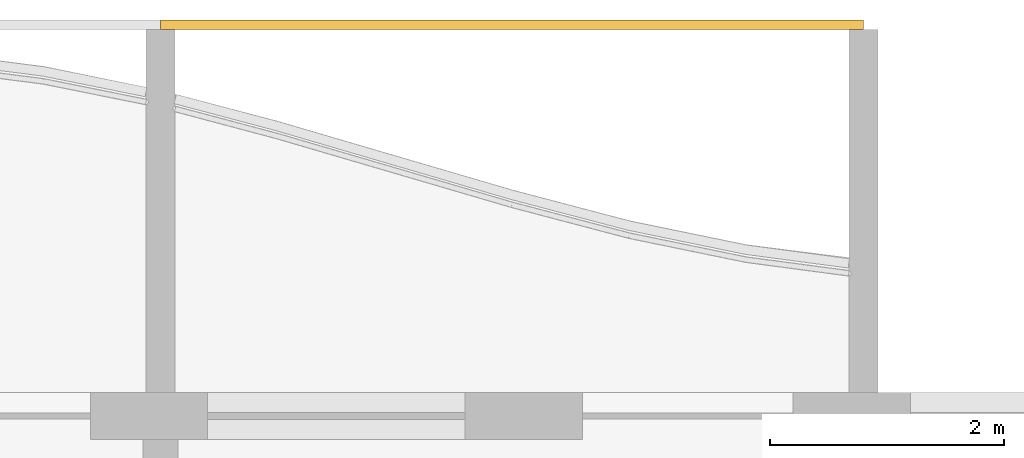
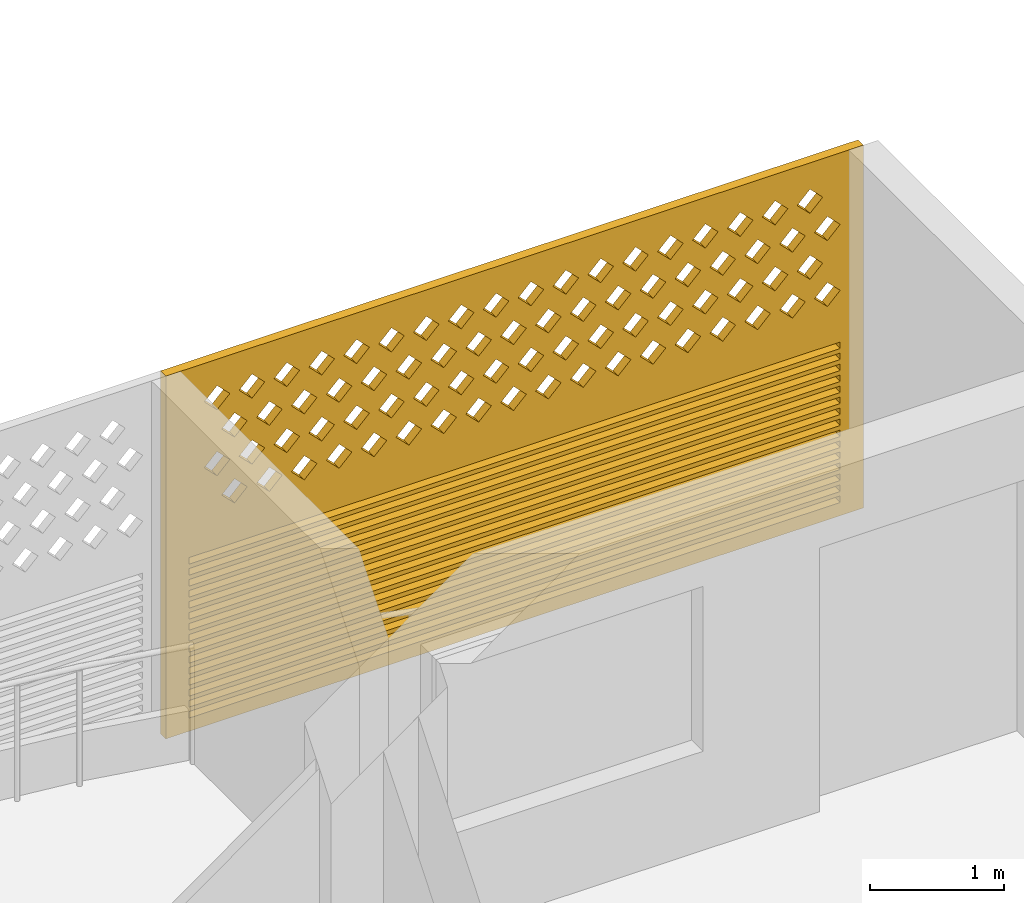
# One storey, part 19 of 31: 1 covering.
"""IFC4 building model written with IfcOpenShell, lengths in metres."""

from ifc_helpers import new_model, si_unit, direction, frame, origin, place, context, subcontext, project, spatial, polyline, outline, extrude, source, transform, mapped, material, material_profile, profile_set, type_object, element, save


model = new_model("IFC4")

# Units and contexts
model_context = context("Model", 3, precision=1e-05, world=origin(), true_north=direction((0.0, 1.0)))
body_context = subcontext(model_context, "Body", "Model", "MODEL_VIEW")
ifc_project = project(units=[si_unit("LENGTHUNIT", "METRE"), si_unit("AREAUNIT", "SQUARE_METRE"), si_unit("VOLUMEUNIT", "CUBIC_METRE"), si_unit("PLANEANGLEUNIT", "RADIAN"), si_unit("MASSUNIT", "GRAM", prefix="KILO")], contexts=[model_context])

# Site, building, storey
site_placement = place(None, origin())
site = spatial("IfcSite", under=ifc_project, at=site_placement, CompositionType="ELEMENT")
building_placement = place(site_placement, origin())
building = spatial("IfcBuilding", under=site, at=building_placement, Name="Poui Terraces", CompositionType="ELEMENT")
storey_placement = place(building_placement, frame((0.0, 0.0, 142.199951171875)))
storey = spatial("IfcBuildingStorey", under=building, at=storey_placement, Name="L39", CompositionType="ELEMENT", Elevation=142.199951171875)

# Covering
ifc_material = material(Name="Terracotta screen", Category="masonry")
ifc_material_profile = material_profile(ifc_material, outline(polyline([(-3.0, -1.64990234375), (3.0, -1.64990234375), (3.0, 1.64990234375), (-3.0, 1.64990234375), (-3.0, -1.64990234375)]), holes=[polyline([(-2.800048828125, 0.39990234375), (-2.68994140625, 0.2900390625), (-2.580078125, 0.39990234375), (-2.68994140625, 0.510009765625), (-2.800048828125, 0.39990234375)]), polyline([(-2.5, 0.39990234375), (-2.389892578125, 0.2900390625), (-2.280029296875, 0.39990234375), (-2.389892578125, 0.510009765625), (-2.5, 0.39990234375)]), polyline([(-2.199951171875, 0.39990234375), (-2.090087890625, 0.2900390625), (-1.97998046875, 0.39990234375), (-2.090087890625, 0.510009765625), (-2.199951171875, 0.39990234375)]), polyline([(-1.89990234375, 0.39990234375), (-1.7900390625, 0.2900390625), (-1.679931640625, 0.39990234375), (-1.7900390625, 0.510009765625), (-1.89990234375, 0.39990234375)]), polyline([(-1.60009765625, 0.39990234375), (-1.489990234375, 0.2900390625), (-1.3798828125, 0.39990234375), (-1.489990234375, 0.510009765625), (-1.60009765625, 0.39990234375)]), polyline([(-1.300048828125, 0.39990234375), (-1.18994140625, 0.2900390625), (-1.080078125, 0.39990234375), (-1.18994140625, 0.510009765625), (-1.300048828125, 0.39990234375)]), polyline([(-1.0, 0.39990234375), (-0.889892578125, 0.2900390625), (-0.780029296875, 0.39990234375), (-0.889892578125, 0.510009765625), (-1.0, 0.39990234375)]), polyline([(-0.699951171875, 0.39990234375), (-0.590087890625, 0.2900390625), (-0.47998046875, 0.39990234375), (-0.590087890625, 0.510009765625), (-0.699951171875, 0.39990234375)]), polyline([(-0.39990234375, 0.39990234375), (-0.2900390625, 0.2900390625), (-0.179931640625, 0.39990234375), (-0.2900390625, 0.510009765625), (-0.39990234375, 0.39990234375)]), polyline([(-0.10009765625, 0.39990234375), (0.010009765625, 0.2900390625), (0.1201171875, 0.39990234375), (0.010009765625, 0.510009765625), (-0.10009765625, 0.39990234375)]), polyline([(0.199951171875, 0.39990234375), (0.31005859375, 0.2900390625), (0.419921875, 0.39990234375), (0.31005859375, 0.510009765625), (0.199951171875, 0.39990234375)]), polyline([(0.5, 0.39990234375), (0.610107421875, 0.2900390625), (0.719970703125, 0.39990234375), (0.610107421875, 0.510009765625), (0.5, 0.39990234375)]), polyline([(0.800048828125, 0.39990234375), (0.909912109375, 0.2900390625), (1.02001953125, 0.39990234375), (0.909912109375, 0.510009765625), (0.800048828125, 0.39990234375)]), polyline([(1.10009765625, 0.39990234375), (1.2099609375, 0.2900390625), (1.320068359375, 0.39990234375), (1.2099609375, 0.510009765625), (1.10009765625, 0.39990234375)]), polyline([(1.39990234375, 0.39990234375), (1.510009765625, 0.2900390625), (1.6201171875, 0.39990234375), (1.510009765625, 0.510009765625), (1.39990234375, 0.39990234375)]), polyline([(1.699951171875, 0.39990234375), (1.81005859375, 0.2900390625), (1.919921875, 0.39990234375), (1.81005859375, 0.510009765625), (1.699951171875, 0.39990234375)]), polyline([(2.0, 0.39990234375), (2.110107421875, 0.2900390625), (2.219970703125, 0.39990234375), (2.110107421875, 0.510009765625), (2.0, 0.39990234375)]), polyline([(2.300048828125, 0.39990234375), (2.409912109375, 0.2900390625), (2.52001953125, 0.39990234375), (2.409912109375, 0.510009765625), (2.300048828125, 0.39990234375)]), polyline([(-2.64990234375, 0.699951171875), (-2.5400390625, 0.590087890625), (-2.429931640625, 0.699951171875), (-2.5400390625, 0.81005859375), (-2.64990234375, 0.699951171875)]), polyline([(-2.35009765625, 0.699951171875), (-2.239990234375, 0.590087890625), (-2.1298828125, 0.699951171875), (-2.239990234375, 0.81005859375), (-2.35009765625, 0.699951171875)]), polyline([(-2.050048828125, 0.699951171875), (-1.93994140625, 0.590087890625), (-1.830078125, 0.699951171875), (-1.93994140625, 0.81005859375), (-2.050048828125, 0.699951171875)]), polyline([(-1.75, 0.699951171875), (-1.639892578125, 0.590087890625), (-1.530029296875, 0.699951171875), (-1.639892578125, 0.81005859375), (-1.75, 0.699951171875)]), polyline([(-1.449951171875, 0.699951171875), (-1.340087890625, 0.590087890625), (-1.22998046875, 0.699951171875), (-1.340087890625, 0.81005859375), (-1.449951171875, 0.699951171875)]), polyline([(-1.14990234375, 0.699951171875), (-1.0400390625, 0.590087890625), (-0.929931640625, 0.699951171875), (-1.0400390625, 0.81005859375), (-1.14990234375, 0.699951171875)]), polyline([(-0.85009765625, 0.699951171875), (-0.739990234375, 0.590087890625), (-0.6298828125, 0.699951171875), (-0.739990234375, 0.81005859375), (-0.85009765625, 0.699951171875)]), polyline([(-0.550048828125, 0.699951171875), (-0.43994140625, 0.590087890625), (-0.330078125, 0.699951171875), (-0.43994140625, 0.81005859375), (-0.550048828125, 0.699951171875)]), polyline([(-0.25, 0.699951171875), (-0.139892578125, 0.590087890625), (-0.030029296875, 0.699951171875), (-0.139892578125, 0.81005859375), (-0.25, 0.699951171875)]), polyline([(0.050048828125, 0.699951171875), (0.159912109375, 0.590087890625), (0.27001953125, 0.699951171875), (0.159912109375, 0.81005859375), (0.050048828125, 0.699951171875)]), polyline([(0.35009765625, 0.699951171875), (0.4599609375, 0.590087890625), (0.570068359375, 0.699951171875), (0.4599609375, 0.81005859375), (0.35009765625, 0.699951171875)]), polyline([(0.64990234375, 0.699951171875), (0.760009765625, 0.590087890625), (0.8701171875, 0.699951171875), (0.760009765625, 0.81005859375), (0.64990234375, 0.699951171875)]), polyline([(0.949951171875, 0.699951171875), (1.06005859375, 0.590087890625), (1.169921875, 0.699951171875), (1.06005859375, 0.81005859375), (0.949951171875, 0.699951171875)]), polyline([(1.25, 0.699951171875), (1.360107421875, 0.590087890625), (1.469970703125, 0.699951171875), (1.360107421875, 0.81005859375), (1.25, 0.699951171875)]), polyline([(1.550048828125, 0.699951171875), (1.659912109375, 0.590087890625), (1.77001953125, 0.699951171875), (1.659912109375, 0.81005859375), (1.550048828125, 0.699951171875)]), polyline([(1.85009765625, 0.699951171875), (1.9599609375, 0.590087890625), (2.070068359375, 0.699951171875), (1.9599609375, 0.81005859375), (1.85009765625, 0.699951171875)]), polyline([(2.14990234375, 0.699951171875), (2.260009765625, 0.590087890625), (2.3701171875, 0.699951171875), (2.260009765625, 0.81005859375), (2.14990234375, 0.699951171875)]), polyline([(2.449951171875, 0.699951171875), (2.56005859375, 0.590087890625), (2.669921875, 0.699951171875), (2.56005859375, 0.81005859375), (2.449951171875, 0.699951171875)]), polyline([(-2.800048828125, 1.0), (-2.68994140625, 0.889892578125), (-2.580078125, 1.0), (-2.68994140625, 1.110107421875), (-2.800048828125, 1.0)]), polyline([(-2.5, 1.0), (-2.389892578125, 0.889892578125), (-2.280029296875, 1.0), (-2.389892578125, 1.110107421875), (-2.5, 1.0)]), polyline([(-2.199951171875, 1.0), (-2.090087890625, 0.889892578125), (-1.97998046875, 1.0), (-2.090087890625, 1.110107421875), (-2.199951171875, 1.0)]), polyline([(-1.89990234375, 1.0), (-1.7900390625, 0.889892578125), (-1.679931640625, 1.0), (-1.7900390625, 1.110107421875), (-1.89990234375, 1.0)]), polyline([(-1.60009765625, 1.0), (-1.489990234375, 0.889892578125), (-1.3798828125, 1.0), (-1.489990234375, 1.110107421875), (-1.60009765625, 1.0)]), polyline([(-1.300048828125, 1.0), (-1.18994140625, 0.889892578125), (-1.080078125, 1.0), (-1.18994140625, 1.110107421875), (-1.300048828125, 1.0)]), polyline([(-1.0, 1.0), (-0.889892578125, 0.889892578125), (-0.780029296875, 1.0), (-0.889892578125, 1.110107421875), (-1.0, 1.0)]), polyline([(-0.699951171875, 1.0), (-0.590087890625, 0.889892578125), (-0.47998046875, 1.0), (-0.590087890625, 1.110107421875), (-0.699951171875, 1.0)]), polyline([(-0.39990234375, 1.0), (-0.2900390625, 0.889892578125), (-0.179931640625, 1.0), (-0.2900390625, 1.110107421875), (-0.39990234375, 1.0)]), polyline([(-0.10009765625, 1.0), (0.010009765625, 0.889892578125), (0.1201171875, 1.0), (0.010009765625, 1.110107421875), (-0.10009765625, 1.0)]), polyline([(0.199951171875, 1.0), (0.31005859375, 0.889892578125), (0.419921875, 1.0), (0.31005859375, 1.110107421875), (0.199951171875, 1.0)]), polyline([(0.5, 1.0), (0.610107421875, 0.889892578125), (0.719970703125, 1.0), (0.610107421875, 1.110107421875), (0.5, 1.0)]), polyline([(0.800048828125, 1.0), (0.909912109375, 0.889892578125), (1.02001953125, 1.0), (0.909912109375, 1.110107421875), (0.800048828125, 1.0)]), polyline([(1.10009765625, 1.0), (1.2099609375, 0.889892578125), (1.320068359375, 1.0), (1.2099609375, 1.110107421875), (1.10009765625, 1.0)]), polyline([(1.39990234375, 1.0), (1.510009765625, 0.889892578125), (1.6201171875, 1.0), (1.510009765625, 1.110107421875), (1.39990234375, 1.0)]), polyline([(1.699951171875, 1.0), (1.81005859375, 0.889892578125), (1.919921875, 1.0), (1.81005859375, 1.110107421875), (1.699951171875, 1.0)]), polyline([(2.0, 1.0), (2.110107421875, 0.889892578125), (2.219970703125, 1.0), (2.110107421875, 1.110107421875), (2.0, 1.0)]), polyline([(2.300048828125, 1.0), (2.409912109375, 0.889892578125), (2.52001953125, 1.0), (2.409912109375, 1.110107421875), (2.300048828125, 1.0)]), polyline([(-2.64990234375, 1.300048828125), (-2.5400390625, 1.18994140625), (-2.429931640625, 1.300048828125), (-2.5400390625, 1.409912109375), (-2.64990234375, 1.300048828125)]), polyline([(-2.35009765625, 1.300048828125), (-2.239990234375, 1.18994140625), (-2.1298828125, 1.300048828125), (-2.239990234375, 1.409912109375), (-2.35009765625, 1.300048828125)]), polyline([(-2.050048828125, 1.300048828125), (-1.93994140625, 1.18994140625), (-1.830078125, 1.300048828125), (-1.93994140625, 1.409912109375), (-2.050048828125, 1.300048828125)]), polyline([(-1.75, 1.300048828125), (-1.639892578125, 1.18994140625), (-1.530029296875, 1.300048828125), (-1.639892578125, 1.409912109375), (-1.75, 1.300048828125)]), polyline([(-1.449951171875, 1.300048828125), (-1.340087890625, 1.18994140625), (-1.22998046875, 1.300048828125), (-1.340087890625, 1.409912109375), (-1.449951171875, 1.300048828125)]), polyline([(-1.14990234375, 1.300048828125), (-1.0400390625, 1.18994140625), (-0.929931640625, 1.300048828125), (-1.0400390625, 1.409912109375), (-1.14990234375, 1.300048828125)]), polyline([(-0.85009765625, 1.300048828125), (-0.739990234375, 1.18994140625), (-0.6298828125, 1.300048828125), (-0.739990234375, 1.409912109375), (-0.85009765625, 1.300048828125)]), polyline([(-0.550048828125, 1.300048828125), (-0.43994140625, 1.18994140625), (-0.330078125, 1.300048828125), (-0.43994140625, 1.409912109375), (-0.550048828125, 1.300048828125)]), polyline([(-0.25, 1.300048828125), (-0.139892578125, 1.18994140625), (-0.030029296875, 1.300048828125), (-0.139892578125, 1.409912109375), (-0.25, 1.300048828125)]), polyline([(0.050048828125, 1.300048828125), (0.159912109375, 1.18994140625), (0.27001953125, 1.300048828125), (0.159912109375, 1.409912109375), (0.050048828125, 1.300048828125)]), polyline([(0.35009765625, 1.300048828125), (0.4599609375, 1.18994140625), (0.570068359375, 1.300048828125), (0.4599609375, 1.409912109375), (0.35009765625, 1.300048828125)]), polyline([(0.64990234375, 1.300048828125), (0.760009765625, 1.18994140625), (0.8701171875, 1.300048828125), (0.760009765625, 1.409912109375), (0.64990234375, 1.300048828125)]), polyline([(0.949951171875, 1.300048828125), (1.06005859375, 1.18994140625), (1.169921875, 1.300048828125), (1.06005859375, 1.409912109375), (0.949951171875, 1.300048828125)]), polyline([(1.25, 1.300048828125), (1.360107421875, 1.18994140625), (1.469970703125, 1.300048828125), (1.360107421875, 1.409912109375), (1.25, 1.300048828125)]), polyline([(1.550048828125, 1.300048828125), (1.659912109375, 1.18994140625), (1.77001953125, 1.300048828125), (1.659912109375, 1.409912109375), (1.550048828125, 1.300048828125)]), polyline([(1.85009765625, 1.300048828125), (1.9599609375, 1.18994140625), (2.070068359375, 1.300048828125), (1.9599609375, 1.409912109375), (1.85009765625, 1.300048828125)]), polyline([(2.14990234375, 1.300048828125), (2.260009765625, 1.18994140625), (2.3701171875, 1.300048828125), (2.260009765625, 1.409912109375), (2.14990234375, 1.300048828125)]), polyline([(2.449951171875, 1.300048828125), (2.56005859375, 1.18994140625), (2.669921875, 1.300048828125), (2.56005859375, 1.409912109375), (2.449951171875, 1.300048828125)]), polyline([(-2.800048828125, -1.530029296875), (2.800048828125, -1.530029296875), (2.800048828125, -1.469970703125), (-2.800048828125, -1.469970703125), (-2.800048828125, -1.530029296875)]), polyline([(-2.800048828125, -1.429931640625), (2.800048828125, -1.429931640625), (2.800048828125, -1.3701171875), (-2.800048828125, -1.3701171875), (-2.800048828125, -1.429931640625)]), polyline([(-2.800048828125, -1.330078125), (2.800048828125, -1.330078125), (2.800048828125, -1.27001953125), (-2.800048828125, -1.27001953125), (-2.800048828125, -1.330078125)]), polyline([(-2.800048828125, -1.22998046875), (2.800048828125, -1.22998046875), (2.800048828125, -1.169921875), (-2.800048828125, -1.169921875), (-2.800048828125, -1.22998046875)]), polyline([(-2.800048828125, -1.1298828125), (2.800048828125, -1.1298828125), (2.800048828125, -1.070068359375), (-2.800048828125, -1.070068359375), (-2.800048828125, -1.1298828125)]), polyline([(-2.800048828125, -1.030029296875), (2.800048828125, -1.030029296875), (2.800048828125, -0.969970703125), (-2.800048828125, -0.969970703125), (-2.800048828125, -1.030029296875)]), polyline([(-2.800048828125, -0.929931640625), (2.800048828125, -0.929931640625), (2.800048828125, -0.8701171875), (-2.800048828125, -0.8701171875), (-2.800048828125, -0.929931640625)]), polyline([(-2.800048828125, -0.830078125), (2.800048828125, -0.830078125), (2.800048828125, -0.77001953125), (-2.800048828125, -0.77001953125), (-2.800048828125, -0.830078125)]), polyline([(-2.800048828125, -0.72998046875), (2.800048828125, -0.72998046875), (2.800048828125, -0.669921875), (-2.800048828125, -0.669921875), (-2.800048828125, -0.72998046875)]), polyline([(-2.800048828125, -0.6298828125), (2.800048828125, -0.6298828125), (2.800048828125, -0.570068359375), (-2.800048828125, -0.570068359375), (-2.800048828125, -0.6298828125)]), polyline([(-2.800048828125, -0.530029296875), (2.800048828125, -0.530029296875), (2.800048828125, -0.469970703125), (-2.800048828125, -0.469970703125), (-2.800048828125, -0.530029296875)]), polyline([(-2.800048828125, -0.429931640625), (2.800048828125, -0.429931640625), (2.800048828125, -0.3701171875), (-2.800048828125, -0.3701171875), (-2.800048828125, -0.429931640625)]), polyline([(-2.800048828125, -0.330078125), (2.800048828125, -0.330078125), (2.800048828125, -0.27001953125), (-2.800048828125, -0.27001953125), (-2.800048828125, -0.330078125)]), polyline([(-2.800048828125, -0.22998046875), (2.800048828125, -0.22998046875), (2.800048828125, -0.169921875), (-2.800048828125, -0.169921875), (-2.800048828125, -0.22998046875)]), polyline([(-2.800048828125, -0.1298828125), (2.800048828125, -0.1298828125), (2.800048828125, -0.070068359375), (-2.800048828125, -0.070068359375), (-2.800048828125, -0.1298828125)])]), Name="TERRACOTTA SCREEN AND JALOUSIE LOUVRE 6000X3300")
ifc_profile_set = profile_set([ifc_material_profile], Name="Terracotta screen")
covering_type = type_object("IfcCoveringType", Name="TERRACOTTA SCREEN AND JALOUSIE LOUVRE 6000X3300", PredefinedType="CLADDING", material=ifc_profile_set)
shared_shape = source(origin(), body_context, "Body", "SweptSolid", [
    extrude(outline(polyline([(-3.0, -1.64990234375), (3.0, -1.64990234375), (3.0, 1.64990234375), (-3.0, 1.64990234375), (-3.0, -1.64990234375)]), holes=[polyline([(-2.800048828125, 0.39990234375), (-2.68994140625, 0.2900390625), (-2.580078125, 0.39990234375), (-2.68994140625, 0.510009765625), (-2.800048828125, 0.39990234375)]), polyline([(-2.5, 0.39990234375), (-2.389892578125, 0.2900390625), (-2.280029296875, 0.39990234375), (-2.389892578125, 0.510009765625), (-2.5, 0.39990234375)]), polyline([(-2.199951171875, 0.39990234375), (-2.090087890625, 0.2900390625), (-1.97998046875, 0.39990234375), (-2.090087890625, 0.510009765625), (-2.199951171875, 0.39990234375)]), polyline([(-1.89990234375, 0.39990234375), (-1.7900390625, 0.2900390625), (-1.679931640625, 0.39990234375), (-1.7900390625, 0.510009765625), (-1.89990234375, 0.39990234375)]), polyline([(-1.60009765625, 0.39990234375), (-1.489990234375, 0.2900390625), (-1.3798828125, 0.39990234375), (-1.489990234375, 0.510009765625), (-1.60009765625, 0.39990234375)]), polyline([(-1.300048828125, 0.39990234375), (-1.18994140625, 0.2900390625), (-1.080078125, 0.39990234375), (-1.18994140625, 0.510009765625), (-1.300048828125, 0.39990234375)]), polyline([(-1.0, 0.39990234375), (-0.889892578125, 0.2900390625), (-0.780029296875, 0.39990234375), (-0.889892578125, 0.510009765625), (-1.0, 0.39990234375)]), polyline([(-0.699951171875, 0.39990234375), (-0.590087890625, 0.2900390625), (-0.47998046875, 0.39990234375), (-0.590087890625, 0.510009765625), (-0.699951171875, 0.39990234375)]), polyline([(-0.39990234375, 0.39990234375), (-0.2900390625, 0.2900390625), (-0.179931640625, 0.39990234375), (-0.2900390625, 0.510009765625), (-0.39990234375, 0.39990234375)]), polyline([(-0.10009765625, 0.39990234375), (0.010009765625, 0.2900390625), (0.1201171875, 0.39990234375), (0.010009765625, 0.510009765625), (-0.10009765625, 0.39990234375)]), polyline([(0.199951171875, 0.39990234375), (0.31005859375, 0.2900390625), (0.419921875, 0.39990234375), (0.31005859375, 0.510009765625), (0.199951171875, 0.39990234375)]), polyline([(0.5, 0.39990234375), (0.610107421875, 0.2900390625), (0.719970703125, 0.39990234375), (0.610107421875, 0.510009765625), (0.5, 0.39990234375)]), polyline([(0.800048828125, 0.39990234375), (0.909912109375, 0.2900390625), (1.02001953125, 0.39990234375), (0.909912109375, 0.510009765625), (0.800048828125, 0.39990234375)]), polyline([(1.10009765625, 0.39990234375), (1.2099609375, 0.2900390625), (1.320068359375, 0.39990234375), (1.2099609375, 0.510009765625), (1.10009765625, 0.39990234375)]), polyline([(1.39990234375, 0.39990234375), (1.510009765625, 0.2900390625), (1.6201171875, 0.39990234375), (1.510009765625, 0.510009765625), (1.39990234375, 0.39990234375)]), polyline([(1.699951171875, 0.39990234375), (1.81005859375, 0.2900390625), (1.919921875, 0.39990234375), (1.81005859375, 0.510009765625), (1.699951171875, 0.39990234375)]), polyline([(2.0, 0.39990234375), (2.110107421875, 0.2900390625), (2.219970703125, 0.39990234375), (2.110107421875, 0.510009765625), (2.0, 0.39990234375)]), polyline([(2.300048828125, 0.39990234375), (2.409912109375, 0.2900390625), (2.52001953125, 0.39990234375), (2.409912109375, 0.510009765625), (2.300048828125, 0.39990234375)]), polyline([(-2.64990234375, 0.699951171875), (-2.5400390625, 0.590087890625), (-2.429931640625, 0.699951171875), (-2.5400390625, 0.81005859375), (-2.64990234375, 0.699951171875)]), polyline([(-2.35009765625, 0.699951171875), (-2.239990234375, 0.590087890625), (-2.1298828125, 0.699951171875), (-2.239990234375, 0.81005859375), (-2.35009765625, 0.699951171875)]), polyline([(-2.050048828125, 0.699951171875), (-1.93994140625, 0.590087890625), (-1.830078125, 0.699951171875), (-1.93994140625, 0.81005859375), (-2.050048828125, 0.699951171875)]), polyline([(-1.75, 0.699951171875), (-1.639892578125, 0.590087890625), (-1.530029296875, 0.699951171875), (-1.639892578125, 0.81005859375), (-1.75, 0.699951171875)]), polyline([(-1.449951171875, 0.699951171875), (-1.340087890625, 0.590087890625), (-1.22998046875, 0.699951171875), (-1.340087890625, 0.81005859375), (-1.449951171875, 0.699951171875)]), polyline([(-1.14990234375, 0.699951171875), (-1.0400390625, 0.590087890625), (-0.929931640625, 0.699951171875), (-1.0400390625, 0.81005859375), (-1.14990234375, 0.699951171875)]), polyline([(-0.85009765625, 0.699951171875), (-0.739990234375, 0.590087890625), (-0.6298828125, 0.699951171875), (-0.739990234375, 0.81005859375), (-0.85009765625, 0.699951171875)]), polyline([(-0.550048828125, 0.699951171875), (-0.43994140625, 0.590087890625), (-0.330078125, 0.699951171875), (-0.43994140625, 0.81005859375), (-0.550048828125, 0.699951171875)]), polyline([(-0.25, 0.699951171875), (-0.139892578125, 0.590087890625), (-0.030029296875, 0.699951171875), (-0.139892578125, 0.81005859375), (-0.25, 0.699951171875)]), polyline([(0.050048828125, 0.699951171875), (0.159912109375, 0.590087890625), (0.27001953125, 0.699951171875), (0.159912109375, 0.81005859375), (0.050048828125, 0.699951171875)]), polyline([(0.35009765625, 0.699951171875), (0.4599609375, 0.590087890625), (0.570068359375, 0.699951171875), (0.4599609375, 0.81005859375), (0.35009765625, 0.699951171875)]), polyline([(0.64990234375, 0.699951171875), (0.760009765625, 0.590087890625), (0.8701171875, 0.699951171875), (0.760009765625, 0.81005859375), (0.64990234375, 0.699951171875)]), polyline([(0.949951171875, 0.699951171875), (1.06005859375, 0.590087890625), (1.169921875, 0.699951171875), (1.06005859375, 0.81005859375), (0.949951171875, 0.699951171875)]), polyline([(1.25, 0.699951171875), (1.360107421875, 0.590087890625), (1.469970703125, 0.699951171875), (1.360107421875, 0.81005859375), (1.25, 0.699951171875)]), polyline([(1.550048828125, 0.699951171875), (1.659912109375, 0.590087890625), (1.77001953125, 0.699951171875), (1.659912109375, 0.81005859375), (1.550048828125, 0.699951171875)]), polyline([(1.85009765625, 0.699951171875), (1.9599609375, 0.590087890625), (2.070068359375, 0.699951171875), (1.9599609375, 0.81005859375), (1.85009765625, 0.699951171875)]), polyline([(2.14990234375, 0.699951171875), (2.260009765625, 0.590087890625), (2.3701171875, 0.699951171875), (2.260009765625, 0.81005859375), (2.14990234375, 0.699951171875)]), polyline([(2.449951171875, 0.699951171875), (2.56005859375, 0.590087890625), (2.669921875, 0.699951171875), (2.56005859375, 0.81005859375), (2.449951171875, 0.699951171875)]), polyline([(-2.800048828125, 1.0), (-2.68994140625, 0.889892578125), (-2.580078125, 1.0), (-2.68994140625, 1.110107421875), (-2.800048828125, 1.0)]), polyline([(-2.5, 1.0), (-2.389892578125, 0.889892578125), (-2.280029296875, 1.0), (-2.389892578125, 1.110107421875), (-2.5, 1.0)]), polyline([(-2.199951171875, 1.0), (-2.090087890625, 0.889892578125), (-1.97998046875, 1.0), (-2.090087890625, 1.110107421875), (-2.199951171875, 1.0)]), polyline([(-1.89990234375, 1.0), (-1.7900390625, 0.889892578125), (-1.679931640625, 1.0), (-1.7900390625, 1.110107421875), (-1.89990234375, 1.0)]), polyline([(-1.60009765625, 1.0), (-1.489990234375, 0.889892578125), (-1.3798828125, 1.0), (-1.489990234375, 1.110107421875), (-1.60009765625, 1.0)]), polyline([(-1.300048828125, 1.0), (-1.18994140625, 0.889892578125), (-1.080078125, 1.0), (-1.18994140625, 1.110107421875), (-1.300048828125, 1.0)]), polyline([(-1.0, 1.0), (-0.889892578125, 0.889892578125), (-0.780029296875, 1.0), (-0.889892578125, 1.110107421875), (-1.0, 1.0)]), polyline([(-0.699951171875, 1.0), (-0.590087890625, 0.889892578125), (-0.47998046875, 1.0), (-0.590087890625, 1.110107421875), (-0.699951171875, 1.0)]), polyline([(-0.39990234375, 1.0), (-0.2900390625, 0.889892578125), (-0.179931640625, 1.0), (-0.2900390625, 1.110107421875), (-0.39990234375, 1.0)]), polyline([(-0.10009765625, 1.0), (0.010009765625, 0.889892578125), (0.1201171875, 1.0), (0.010009765625, 1.110107421875), (-0.10009765625, 1.0)]), polyline([(0.199951171875, 1.0), (0.31005859375, 0.889892578125), (0.419921875, 1.0), (0.31005859375, 1.110107421875), (0.199951171875, 1.0)]), polyline([(0.5, 1.0), (0.610107421875, 0.889892578125), (0.719970703125, 1.0), (0.610107421875, 1.110107421875), (0.5, 1.0)]), polyline([(0.800048828125, 1.0), (0.909912109375, 0.889892578125), (1.02001953125, 1.0), (0.909912109375, 1.110107421875), (0.800048828125, 1.0)]), polyline([(1.10009765625, 1.0), (1.2099609375, 0.889892578125), (1.320068359375, 1.0), (1.2099609375, 1.110107421875), (1.10009765625, 1.0)]), polyline([(1.39990234375, 1.0), (1.510009765625, 0.889892578125), (1.6201171875, 1.0), (1.510009765625, 1.110107421875), (1.39990234375, 1.0)]), polyline([(1.699951171875, 1.0), (1.81005859375, 0.889892578125), (1.919921875, 1.0), (1.81005859375, 1.110107421875), (1.699951171875, 1.0)]), polyline([(2.0, 1.0), (2.110107421875, 0.889892578125), (2.219970703125, 1.0), (2.110107421875, 1.110107421875), (2.0, 1.0)]), polyline([(2.300048828125, 1.0), (2.409912109375, 0.889892578125), (2.52001953125, 1.0), (2.409912109375, 1.110107421875), (2.300048828125, 1.0)]), polyline([(-2.64990234375, 1.300048828125), (-2.5400390625, 1.18994140625), (-2.429931640625, 1.300048828125), (-2.5400390625, 1.409912109375), (-2.64990234375, 1.300048828125)]), polyline([(-2.35009765625, 1.300048828125), (-2.239990234375, 1.18994140625), (-2.1298828125, 1.300048828125), (-2.239990234375, 1.409912109375), (-2.35009765625, 1.300048828125)]), polyline([(-2.050048828125, 1.300048828125), (-1.93994140625, 1.18994140625), (-1.830078125, 1.300048828125), (-1.93994140625, 1.409912109375), (-2.050048828125, 1.300048828125)]), polyline([(-1.75, 1.300048828125), (-1.639892578125, 1.18994140625), (-1.530029296875, 1.300048828125), (-1.639892578125, 1.409912109375), (-1.75, 1.300048828125)]), polyline([(-1.449951171875, 1.300048828125), (-1.340087890625, 1.18994140625), (-1.22998046875, 1.300048828125), (-1.340087890625, 1.409912109375), (-1.449951171875, 1.300048828125)]), polyline([(-1.14990234375, 1.300048828125), (-1.0400390625, 1.18994140625), (-0.929931640625, 1.300048828125), (-1.0400390625, 1.409912109375), (-1.14990234375, 1.300048828125)]), polyline([(-0.85009765625, 1.300048828125), (-0.739990234375, 1.18994140625), (-0.6298828125, 1.300048828125), (-0.739990234375, 1.409912109375), (-0.85009765625, 1.300048828125)]), polyline([(-0.550048828125, 1.300048828125), (-0.43994140625, 1.18994140625), (-0.330078125, 1.300048828125), (-0.43994140625, 1.409912109375), (-0.550048828125, 1.300048828125)]), polyline([(-0.25, 1.300048828125), (-0.139892578125, 1.18994140625), (-0.030029296875, 1.300048828125), (-0.139892578125, 1.409912109375), (-0.25, 1.300048828125)]), polyline([(0.050048828125, 1.300048828125), (0.159912109375, 1.18994140625), (0.27001953125, 1.300048828125), (0.159912109375, 1.409912109375), (0.050048828125, 1.300048828125)]), polyline([(0.35009765625, 1.300048828125), (0.4599609375, 1.18994140625), (0.570068359375, 1.300048828125), (0.4599609375, 1.409912109375), (0.35009765625, 1.300048828125)]), polyline([(0.64990234375, 1.300048828125), (0.760009765625, 1.18994140625), (0.8701171875, 1.300048828125), (0.760009765625, 1.409912109375), (0.64990234375, 1.300048828125)]), polyline([(0.949951171875, 1.300048828125), (1.06005859375, 1.18994140625), (1.169921875, 1.300048828125), (1.06005859375, 1.409912109375), (0.949951171875, 1.300048828125)]), polyline([(1.25, 1.300048828125), (1.360107421875, 1.18994140625), (1.469970703125, 1.300048828125), (1.360107421875, 1.409912109375), (1.25, 1.300048828125)]), polyline([(1.550048828125, 1.300048828125), (1.659912109375, 1.18994140625), (1.77001953125, 1.300048828125), (1.659912109375, 1.409912109375), (1.550048828125, 1.300048828125)]), polyline([(1.85009765625, 1.300048828125), (1.9599609375, 1.18994140625), (2.070068359375, 1.300048828125), (1.9599609375, 1.409912109375), (1.85009765625, 1.300048828125)]), polyline([(2.14990234375, 1.300048828125), (2.260009765625, 1.18994140625), (2.3701171875, 1.300048828125), (2.260009765625, 1.409912109375), (2.14990234375, 1.300048828125)]), polyline([(2.449951171875, 1.300048828125), (2.56005859375, 1.18994140625), (2.669921875, 1.300048828125), (2.56005859375, 1.409912109375), (2.449951171875, 1.300048828125)]), polyline([(-2.800048828125, -1.530029296875), (2.800048828125, -1.530029296875), (2.800048828125, -1.469970703125), (-2.800048828125, -1.469970703125), (-2.800048828125, -1.530029296875)]), polyline([(-2.800048828125, -1.429931640625), (2.800048828125, -1.429931640625), (2.800048828125, -1.3701171875), (-2.800048828125, -1.3701171875), (-2.800048828125, -1.429931640625)]), polyline([(-2.800048828125, -1.330078125), (2.800048828125, -1.330078125), (2.800048828125, -1.27001953125), (-2.800048828125, -1.27001953125), (-2.800048828125, -1.330078125)]), polyline([(-2.800048828125, -1.22998046875), (2.800048828125, -1.22998046875), (2.800048828125, -1.169921875), (-2.800048828125, -1.169921875), (-2.800048828125, -1.22998046875)]), polyline([(-2.800048828125, -1.1298828125), (2.800048828125, -1.1298828125), (2.800048828125, -1.070068359375), (-2.800048828125, -1.070068359375), (-2.800048828125, -1.1298828125)]), polyline([(-2.800048828125, -1.030029296875), (2.800048828125, -1.030029296875), (2.800048828125, -0.969970703125), (-2.800048828125, -0.969970703125), (-2.800048828125, -1.030029296875)]), polyline([(-2.800048828125, -0.929931640625), (2.800048828125, -0.929931640625), (2.800048828125, -0.8701171875), (-2.800048828125, -0.8701171875), (-2.800048828125, -0.929931640625)]), polyline([(-2.800048828125, -0.830078125), (2.800048828125, -0.830078125), (2.800048828125, -0.77001953125), (-2.800048828125, -0.77001953125), (-2.800048828125, -0.830078125)]), polyline([(-2.800048828125, -0.72998046875), (2.800048828125, -0.72998046875), (2.800048828125, -0.669921875), (-2.800048828125, -0.669921875), (-2.800048828125, -0.72998046875)]), polyline([(-2.800048828125, -0.6298828125), (2.800048828125, -0.6298828125), (2.800048828125, -0.570068359375), (-2.800048828125, -0.570068359375), (-2.800048828125, -0.6298828125)]), polyline([(-2.800048828125, -0.530029296875), (2.800048828125, -0.530029296875), (2.800048828125, -0.469970703125), (-2.800048828125, -0.469970703125), (-2.800048828125, -0.530029296875)]), polyline([(-2.800048828125, -0.429931640625), (2.800048828125, -0.429931640625), (2.800048828125, -0.3701171875), (-2.800048828125, -0.3701171875), (-2.800048828125, -0.429931640625)]), polyline([(-2.800048828125, -0.330078125), (2.800048828125, -0.330078125), (2.800048828125, -0.27001953125), (-2.800048828125, -0.27001953125), (-2.800048828125, -0.330078125)]), polyline([(-2.800048828125, -0.22998046875), (2.800048828125, -0.22998046875), (2.800048828125, -0.169921875), (-2.800048828125, -0.169921875), (-2.800048828125, -0.22998046875)]), polyline([(-2.800048828125, -0.1298828125), (2.800048828125, -0.1298828125), (2.800048828125, -0.070068359375), (-2.800048828125, -0.070068359375), (-2.800048828125, -0.1298828125)])]), origin(), (0.0, 0.0, 1.0), 0.080078125),
])
covering_placement = place(storey_placement, frame((27.0, 45.699951171875, 1.449951171875), z_axis=(0.0, 1.0, 0.0), x_axis=(-1.0, 0.0, 0.0)))
element("IfcCovering", 1, at=covering_placement, inside=storey, type_object=covering_type, Name="SOLAR SCREEN AND JALOUSIE LOUVRE", PredefinedType="CLADDING", context=body_context, shape_type="MappedRepresentation", body=[
    mapped(shared_shape, transform((0.0, 0.0, 0.0))),
])

save(model, "model.ifc")
